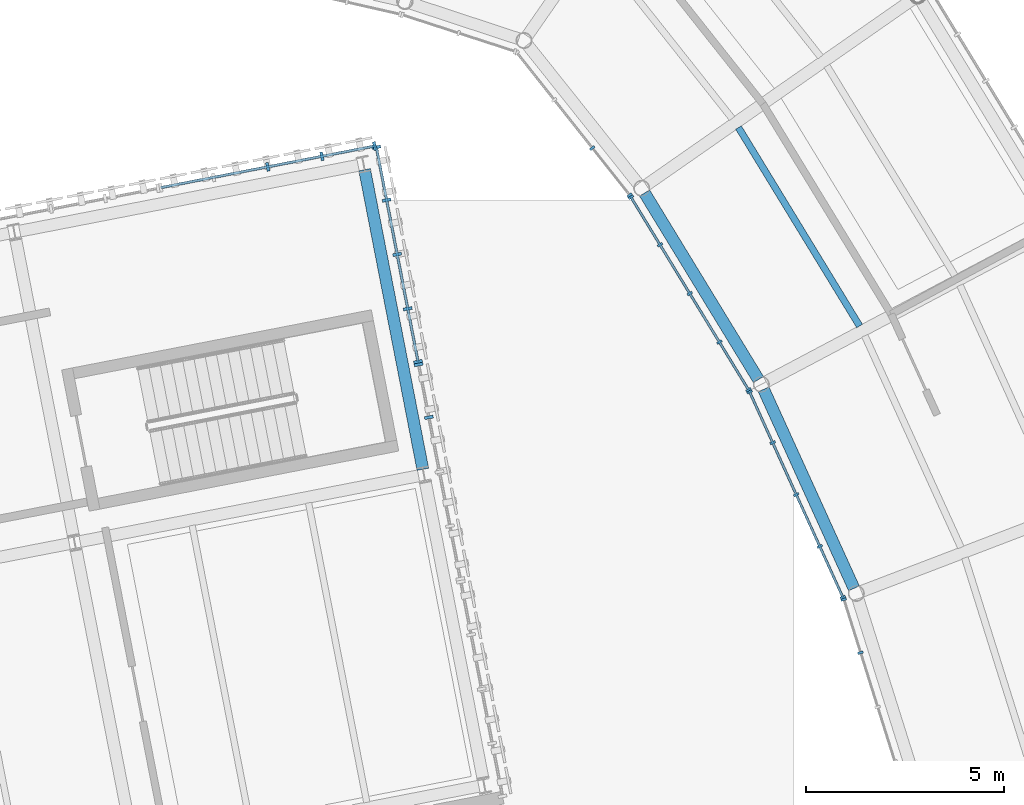
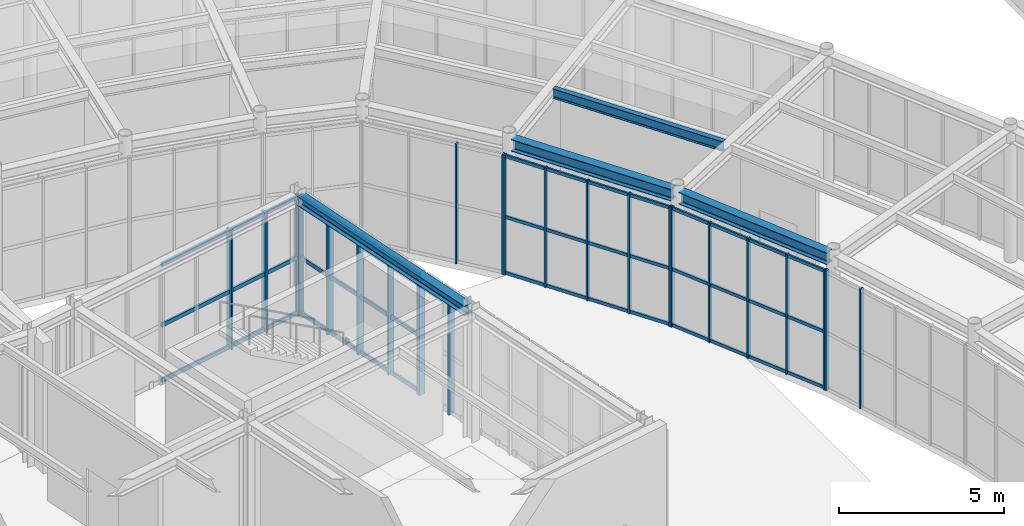
# One storey, part 46 of 97: 36 members, 4 beams, 7 elements without a shape of their own.
"""IFC4 building model written with IfcOpenShell, lengths in metres."""

from ifc_helpers import new_model, si_unit, direction, frame, origin, origin_2d, place, context, subcontext, project, spatial, rectangle, i_section, extrude, material, material_profile, profile_set, type_object, element, aggregate, save


model = new_model("IFC4")

# Units and contexts
model_context = context("Model", 3, precision=1e-05, world=origin(), true_north=direction((0.0, 1.0)))
body_context = subcontext(model_context, "Body", "Model", "MODEL_VIEW")
ifc_project = project(units=[si_unit("LENGTHUNIT", "METRE"), si_unit("AREAUNIT", "SQUARE_METRE"), si_unit("VOLUMEUNIT", "CUBIC_METRE"), si_unit("PLANEANGLEUNIT", "RADIAN"), si_unit("MASSUNIT", "GRAM", prefix="KILO")], contexts=[model_context])

# Site, building, storey
site_placement = place(None, origin())
site = spatial("IfcSite", under=ifc_project, at=site_placement, CompositionType="ELEMENT")
building_placement = place(site_placement, origin())
building = spatial("IfcBuilding", under=site, at=building_placement, Name="Varnklinge Art Gallery", CompositionType="ELEMENT")
storey_placement = place(building_placement, origin())
storey = spatial("IfcBuildingStorey", under=building, at=storey_placement, Name="L00", CompositionType="ELEMENT", Elevation=0.0)

# Beam
ifc_material_1 = material(Name="Steel S355", Category="steel")
ifc_material_profile_1 = material_profile(ifc_material_1, i_section(OverallWidth=0.169921875, OverallDepth=0.360107421875, WebThickness=0.008056640625, FlangeThickness=0.0126953125, FilletRadius=0.01806640625, at=origin_2d()), Name="IPE 360")
ifc_profile_set_1 = profile_set([ifc_material_profile_1], Name="Steel S355")
beam_type_1 = type_object("IfcBeamType", Name="JST-06", PredefinedType="JOIST", material=ifc_profile_set_1)
beam_1_placement = place(storey_placement, frame((99.67578125, 78.819580078125, 4.699951171875), z_axis=(-0.520951279717, 0.853586412826, 0.0), x_axis=(-0.853586412826, -0.520951279717, 0.0)))
element("IfcBeam", 1, at=beam_1_placement, inside=storey, type_object=beam_type_1, Name="L00 JST-06 JST-V2-L01-11-2", PredefinedType="JOIST", context=body_context, shape_type="SweptSolid", body=[
    extrude(i_section(OverallWidth=0.169921875, OverallDepth=0.360107421875, WebThickness=0.008056640625, FlangeThickness=0.0126953125, FilletRadius=0.01806640625, at=origin_2d()), origin(), (0.0, 0.0, 1.0), 5.8818359375),
])

# Curtain wall, members
ifc_material_2 = material(Name="Anodised Aluminium", Category="aluminium")
curtain_wall_type_1 = type_object("IfcCurtainWallType", Name="CW-L05", PredefinedType="USERDEFINED", material=ifc_material_2)
curtain_wall_1_placement = place(storey_placement, origin())
curtain_wall_1 = element("IfcCurtainWall", 2, at=curtain_wall_1_placement, inside=storey, type_object=curtain_wall_type_1, Name="L00 Curtain Wall CW-V4B-L00-2-1-2", ObjectType="UNITISED CURTAIN WALL", PredefinedType="USERDEFINED")
ifc_material_3 = material(Name="Anodised Aluminium", Category="aluminium")
ifc_material_profile_2 = material_profile(ifc_material_3, rectangle(XDim=0.074951171875, YDim=0.219970703125, at=origin_2d()), Name="ALU 75x220")
ifc_profile_set_2 = profile_set([ifc_material_profile_2], Name="Anodised Aluminium")
member_type_1 = type_object("IfcMemberType", Name="MUL-02", PredefinedType="MULLION", material=ifc_profile_set_2)
member_1_placement = place(storey_placement, frame((88.779296875, 76.50732421875, 0.0), z_axis=(0.0, 0.0, 1.0), x_axis=(-0.190808995377, 0.981627183448, 0.0)))
member_1 = element("IfcMember", 3, at=member_1_placement, type_object=member_type_1, Name="CW-V4B-L00-2-1-2 Mullion 4", PredefinedType="MULLION", context=body_context, shape_type="SweptSolid", body=[
    extrude(rectangle(XDim=0.074951171875, YDim=0.219970703125, at=origin_2d()), origin(), (0.0, 0.0, 1.0), 4.429931640625),
])
member_2_placement = place(storey_placement, frame((88.519287109375, 77.844970703125, 0.0), z_axis=(0.0, 0.0, 1.0), x_axis=(-0.190808995377, 0.981627183448, 0.0)))
member_2 = element("IfcMember", 4, at=member_2_placement, type_object=member_type_1, Name="CW-V4B-L00-2-1-2 Mullion 5", PredefinedType="MULLION", context=body_context, shape_type="SweptSolid", body=[
    extrude(rectangle(XDim=0.074951171875, YDim=0.219970703125, at=origin_2d()), origin(), (0.0, 0.0, 1.0), 4.429931640625),
])
aggregate(curtain_wall_1, [member_1, member_2])

curtain_wall_2_placement = place(storey_placement, origin())
curtain_wall_2 = element("IfcCurtainWall", 5, at=curtain_wall_2_placement, inside=storey, type_object=curtain_wall_type_1, Name="L00 Curtain Wall CW-V4B-L00-2-1-3", ObjectType="UNITISED CURTAIN WALL", PredefinedType="USERDEFINED")
member_3_placement = place(storey_placement, frame((88.5048828125, 77.91845703125, 0.0), z_axis=(0.0, 0.0, 1.0), x_axis=(-0.190808995377, 0.981627183448, 0.0)))
member_3 = element("IfcMember", 6, at=member_3_placement, type_object=member_type_1, Name="CW-V4B-L00-2-1-3 Mullion 1", PredefinedType="MULLION", context=body_context, shape_type="SweptSolid", body=[
    extrude(rectangle(XDim=0.074951171875, YDim=0.219970703125, at=origin_2d()), origin(), (0.0, 0.0, 1.0), 4.429931640625),
])
member_4_placement = place(storey_placement, frame((88.2451171875, 79.256103515625, 0.0), z_axis=(0.0, 0.0, 1.0), x_axis=(-0.190808995377, 0.981627183448, 0.0)))
member_4 = element("IfcMember", 7, at=member_4_placement, type_object=member_type_1, Name="CW-V4B-L00-2-1-3 Mullion 2", PredefinedType="MULLION", context=body_context, shape_type="SweptSolid", body=[
    extrude(rectangle(XDim=0.074951171875, YDim=0.219970703125, at=origin_2d()), origin(), (0.0, 0.0, 1.0), 4.429931640625),
])
member_5_placement = place(storey_placement, frame((87.97802734375, 80.630126953125, 0.0), z_axis=(0.0, 0.0, 1.0), x_axis=(-0.190808995377, 0.981627183448, 0.0)))
member_5 = element("IfcMember", 8, at=member_5_placement, type_object=member_type_1, Name="CW-V4B-L00-2-1-3 Mullion 3", PredefinedType="MULLION", context=body_context, shape_type="SweptSolid", body=[
    extrude(rectangle(XDim=0.074951171875, YDim=0.219970703125, at=origin_2d()), origin(), (0.0, 0.0, 1.0), 4.429931640625),
])
member_6_placement = place(storey_placement, frame((87.710693359375, 82.00439453125, 0.0), z_axis=(0.0, 0.0, 1.0), x_axis=(-0.190808995377, 0.981627183448, 0.0)))
member_6 = element("IfcMember", 9, at=member_6_placement, type_object=member_type_1, Name="CW-V4B-L00-2-1-3 Mullion 4", PredefinedType="MULLION", context=body_context, shape_type="SweptSolid", body=[
    extrude(rectangle(XDim=0.074951171875, YDim=0.219970703125, at=origin_2d()), origin(), (0.0, 0.0, 1.0), 4.429931640625),
])
member_7_placement = place(storey_placement, frame((87.450927734375, 83.342041015625, 0.0), z_axis=(0.0, 0.0, 1.0), x_axis=(-0.190808995377, 0.981627183448, 0.0)))
member_7 = element("IfcMember", 10, at=member_7_placement, type_object=member_type_1, Name="CW-V4B-L00-2-1-3 Mullion 5", PredefinedType="MULLION", context=body_context, shape_type="SweptSolid", body=[
    extrude(rectangle(XDim=0.074951171875, YDim=0.219970703125, at=origin_2d()), origin(), (0.0, 0.0, 1.0), 4.429931640625),
])

curtain_wall_3_placement = place(storey_placement, origin())
curtain_wall_3 = element("IfcCurtainWall", 11, at=curtain_wall_3_placement, inside=storey, type_object=curtain_wall_type_1, Name="L00 Curtain Wall CW-V4B-L00-3-1-1", ObjectType="UNITISED CURTAIN WALL", PredefinedType="USERDEFINED")
member_8_placement = place(storey_placement, frame((87.406982421875, 83.37158203125, 0.0), z_axis=(0.0, 0.0, 1.0), x_axis=(-0.981627183448, -0.190808995377, 0.0)))
member_8 = element("IfcMember", 12, at=member_8_placement, type_object=member_type_1, Name="CW-V4B-L00-3-1-1 Mullion 1", PredefinedType="MULLION", context=body_context, shape_type="SweptSolid", body=[
    extrude(rectangle(XDim=0.074951171875, YDim=0.219970703125, at=origin_2d()), origin(), (0.0, 0.0, 1.0), 4.429931640625),
])
member_9_placement = place(storey_placement, frame((86.0732421875, 83.1123046875, 0.0), z_axis=(0.0, 0.0, 1.0), x_axis=(-0.981627183448, -0.190808995377, 0.0)))
member_9 = element("IfcMember", 13, at=member_9_placement, type_object=member_type_1, Name="CW-V4B-L00-3-1-1 Mullion 2", PredefinedType="MULLION", context=body_context, shape_type="SweptSolid", body=[
    extrude(rectangle(XDim=0.074951171875, YDim=0.219970703125, at=origin_2d()), origin(), (0.0, 0.0, 1.0), 4.429931640625),
])
member_10_placement = place(storey_placement, frame((84.702880859375, 82.845947265625, 0.0), z_axis=(0.0, 0.0, 1.0), x_axis=(-0.981627183448, -0.190808995377, 0.0)))
member_10 = element("IfcMember", 14, at=member_10_placement, type_object=member_type_1, Name="CW-V4B-L00-3-1-1 Mullion 3", PredefinedType="MULLION", context=body_context, shape_type="SweptSolid", body=[
    extrude(rectangle(XDim=0.074951171875, YDim=0.219970703125, at=origin_2d()), origin(), (0.0, 0.0, 1.0), 4.429931640625),
])

ifc_material_4 = material(Name="Anodised Aluminium", Category="aluminium")
curtain_wall_type_2 = type_object("IfcCurtainWallType", Name="CW-R03", PredefinedType="USERDEFINED", material=ifc_material_4)
curtain_wall_4_placement = place(storey_placement, origin())
curtain_wall_4 = element("IfcCurtainWall", 15, at=curtain_wall_4_placement, inside=storey, type_object=curtain_wall_type_2, Name="L00 Curtain Wall CW-V2I-L00-09", ObjectType="UNITISED CURTAIN WALL", PredefinedType="USERDEFINED")
ifc_material_5 = material(Name="Anodised Aluminium", Category="aluminium")
ifc_material_profile_3 = material_profile(ifc_material_5, rectangle(XDim=0.06005859375, YDim=0.139892578125, at=origin_2d()), Name="ALU 60x140")
ifc_profile_set_3 = profile_set([ifc_material_profile_3], Name="Anodised Aluminium")
member_type_2 = type_object("IfcMemberType", Name="MUL-03", PredefinedType="MULLION", material=ifc_profile_set_3)
member_11_placement = place(storey_placement, frame((99.2734375, 71.90087890625, 0.0), z_axis=(0.0, 0.0, 1.0), x_axis=(0.299706904751, -0.954031326134, 0.0)))
member_11 = element("IfcMember", 16, at=member_11_placement, type_object=member_type_2, Name="CW-V2I-L00-09 Mullion 1", PredefinedType="MULLION", context=body_context, shape_type="SweptSolid", body=[
    extrude(rectangle(XDim=0.06005859375, YDim=0.139892578125, at=origin_2d()), origin(), (0.0, 0.0, 1.0), 4.429931640625),
])
member_12_placement = place(storey_placement, frame((99.696533203125, 70.55419921875, 0.0), z_axis=(0.0, 0.0, 1.0), x_axis=(0.299706904751, -0.954031326134, 0.0)))
member_12 = element("IfcMember", 17, at=member_12_placement, type_object=member_type_2, Name="CW-V2I-L00-09 Mullion 2", PredefinedType="MULLION", context=body_context, shape_type="SweptSolid", body=[
    extrude(rectangle(XDim=0.06005859375, YDim=0.139892578125, at=origin_2d()), origin(), (0.0, 0.0, 1.0), 4.429931640625),
])
aggregate(curtain_wall_4, [member_11, member_12])

curtain_wall_5_placement = place(storey_placement, origin())
curtain_wall_5 = element("IfcCurtainWall", 18, at=curtain_wall_5_placement, inside=storey, type_object=curtain_wall_type_2, Name="L00 Curtain Wall CW-V2I-L00-10", ObjectType="UNITISED CURTAIN WALL", PredefinedType="USERDEFINED")
member_13_placement = place(storey_placement, frame((96.892578125, 77.153564453125, 0.0), z_axis=(0.0, 0.0, 1.0), x_axis=(0.413422293217, -0.910539404678, 0.0)))
member_13 = element("IfcMember", 19, at=member_13_placement, type_object=member_type_2, Name="CW-V2I-L00-10 Mullion 1", PredefinedType="MULLION", context=body_context, shape_type="SweptSolid", body=[
    extrude(rectangle(XDim=0.06005859375, YDim=0.139892578125, at=origin_2d()), origin(), (0.0, 0.0, 1.0), 4.429931640625),
])
member_14_placement = place(storey_placement, frame((97.476318359375, 75.867919921875, 0.0), z_axis=(0.0, 0.0, 1.0), x_axis=(0.413422293217, -0.910539404678, 0.0)))
member_14 = element("IfcMember", 20, at=member_14_placement, type_object=member_type_2, Name="CW-V2I-L00-10 Mullion 2", PredefinedType="MULLION", context=body_context, shape_type="SweptSolid", body=[
    extrude(rectangle(XDim=0.06005859375, YDim=0.139892578125, at=origin_2d()), origin(), (0.0, 0.0, 1.0), 4.429931640625),
])
member_15_placement = place(storey_placement, frame((98.072509765625, 74.55517578125, 0.0), z_axis=(0.0, 0.0, 1.0), x_axis=(0.413422293217, -0.910539404678, 0.0)))
member_15 = element("IfcMember", 21, at=member_15_placement, type_object=member_type_2, Name="CW-V2I-L00-10 Mullion 3", PredefinedType="MULLION", context=body_context, shape_type="SweptSolid", body=[
    extrude(rectangle(XDim=0.06005859375, YDim=0.139892578125, at=origin_2d()), origin(), (0.0, 0.0, 1.0), 4.429931640625),
])
member_16_placement = place(storey_placement, frame((98.66845703125, 73.242431640625, 0.0), z_axis=(0.0, 0.0, 1.0), x_axis=(0.413422293217, -0.910539404678, 0.0)))
member_16 = element("IfcMember", 22, at=member_16_placement, type_object=member_type_2, Name="CW-V2I-L00-10 Mullion 4", PredefinedType="MULLION", context=body_context, shape_type="SweptSolid", body=[
    extrude(rectangle(XDim=0.06005859375, YDim=0.139892578125, at=origin_2d()), origin(), (0.0, 0.0, 1.0), 4.429931640625),
])
member_17_placement = place(storey_placement, frame((99.251953125, 71.956787109375, 0.0), z_axis=(0.0, 0.0, 1.0), x_axis=(0.413422293217, -0.910539404678, 0.0)))
member_17 = element("IfcMember", 23, at=member_17_placement, type_object=member_type_2, Name="CW-V2I-L00-10 Mullion 5", PredefinedType="MULLION", context=body_context, shape_type="SweptSolid", body=[
    extrude(rectangle(XDim=0.06005859375, YDim=0.139892578125, at=origin_2d()), origin(), (0.0, 0.0, 1.0), 4.429931640625),
])

curtain_wall_6_placement = place(storey_placement, origin())
curtain_wall_6 = element("IfcCurtainWall", 24, at=curtain_wall_6_placement, inside=storey, type_object=curtain_wall_type_2, Name="L00 Curtain Wall CW-V2I-L00-11", ObjectType="UNITISED CURTAIN WALL", PredefinedType="USERDEFINED")
member_18_placement = place(storey_placement, frame((93.8916015625, 82.077880859375, 0.0), z_axis=(0.0, 0.0, 1.0), x_axis=(0.520860651188, -0.85364171761, 0.0)))
member_18 = element("IfcMember", 25, at=member_18_placement, type_object=member_type_2, Name="CW-V2I-L00-11 Mullion 1", PredefinedType="MULLION", context=body_context, shape_type="SweptSolid", body=[
    extrude(rectangle(XDim=0.06005859375, YDim=0.139892578125, at=origin_2d()), origin(), (0.0, 0.0, 1.0), 4.429931640625),
])
member_19_placement = place(storey_placement, frame((94.627197265625, 80.872802734375, 0.0), z_axis=(0.0, 0.0, 1.0), x_axis=(0.520860651188, -0.85364171761, 0.0)))
member_19 = element("IfcMember", 26, at=member_19_placement, type_object=member_type_2, Name="CW-V2I-L00-11 Mullion 2", PredefinedType="MULLION", context=body_context, shape_type="SweptSolid", body=[
    extrude(rectangle(XDim=0.06005859375, YDim=0.139892578125, at=origin_2d()), origin(), (0.0, 0.0, 1.0), 4.429931640625),
])
member_20_placement = place(storey_placement, frame((95.378173828125, 79.64208984375, 0.0), z_axis=(0.0, 0.0, 1.0), x_axis=(0.520860651188, -0.85364171761, 0.0)))
member_20 = element("IfcMember", 27, at=member_20_placement, type_object=member_type_2, Name="CW-V2I-L00-11 Mullion 3", PredefinedType="MULLION", context=body_context, shape_type="SweptSolid", body=[
    extrude(rectangle(XDim=0.06005859375, YDim=0.139892578125, at=origin_2d()), origin(), (0.0, 0.0, 1.0), 4.429931640625),
])
member_21_placement = place(storey_placement, frame((96.129150390625, 78.41162109375, 0.0), z_axis=(0.0, 0.0, 1.0), x_axis=(0.520860651188, -0.85364171761, 0.0)))
member_21 = element("IfcMember", 28, at=member_21_placement, type_object=member_type_2, Name="CW-V2I-L00-11 Mullion 4", PredefinedType="MULLION", context=body_context, shape_type="SweptSolid", body=[
    extrude(rectangle(XDim=0.06005859375, YDim=0.139892578125, at=origin_2d()), origin(), (0.0, 0.0, 1.0), 4.429931640625),
])
member_22_placement = place(storey_placement, frame((96.86474609375, 77.206298828125, 0.0), z_axis=(0.0, 0.0, 1.0), x_axis=(0.520860651188, -0.85364171761, 0.0)))
member_22 = element("IfcMember", 29, at=member_22_placement, type_object=member_type_2, Name="CW-V2I-L00-11 Mullion 5", PredefinedType="MULLION", context=body_context, shape_type="SweptSolid", body=[
    extrude(rectangle(XDim=0.06005859375, YDim=0.139892578125, at=origin_2d()), origin(), (0.0, 0.0, 1.0), 4.429931640625),
])

curtain_wall_7_placement = place(storey_placement, origin())
curtain_wall_7 = element("IfcCurtainWall", 30, at=curtain_wall_7_placement, inside=storey, type_object=curtain_wall_type_2, Name="L00 Curtain Wall CW-V2I-L00-12", ObjectType="UNITISED CURTAIN WALL", PredefinedType="USERDEFINED")
member_23_placement = place(storey_placement, frame((92.91259765625, 83.3203125, 0.0), z_axis=(0.0, 0.0, 1.0), x_axis=(0.620737354217, -0.784018582101, 0.0)))
member_23 = element("IfcMember", 31, at=member_23_placement, type_object=member_type_2, Name="CW-V2I-L00-12 Mullion 3", PredefinedType="MULLION", context=body_context, shape_type="SweptSolid", body=[
    extrude(rectangle(XDim=0.06005859375, YDim=0.139892578125, at=origin_2d()), origin(), (0.0, 0.0, 1.0), 4.429931640625),
])
member_24_placement = place(storey_placement, frame((93.857421875, 82.127197265625, 0.0), z_axis=(0.0, 0.0, 1.0), x_axis=(0.620737354217, -0.784018582101, 0.0)))
member_24 = element("IfcMember", 32, at=member_24_placement, type_object=member_type_2, Name="CW-V2I-L00-12 Mullion 4", PredefinedType="MULLION", context=body_context, shape_type="SweptSolid", body=[
    extrude(rectangle(XDim=0.06005859375, YDim=0.139892578125, at=origin_2d()), origin(), (0.0, 0.0, 1.0), 4.429931640625),
])
aggregate(curtain_wall_7, [member_23, member_24])

# Beams
ifc_material_6 = material(Name="Steel S355", Category="steel")
ifc_material_profile_4 = material_profile(ifc_material_6, i_section(OverallWidth=0.300048828125, OverallDepth=0.43994140625, WebThickness=0.011474609375, FlangeThickness=0.02099609375, FilletRadius=0.027099609375, at=origin_2d()), Name="HEA 450")
ifc_profile_set_4 = profile_set([ifc_material_profile_4], Name="Steel S355")
beam_type_2 = type_object("IfcBeamType", Name="SPB-02", PredefinedType="SPANDREL", material=ifc_profile_set_4)
beam_2_placement = place(storey_placement, frame((99.533447265625, 72.18212890625, 4.659912109375), z_axis=(-0.413397065821, 0.910550858531, 0.0), x_axis=(-0.910550858531, -0.413397065821, 0.0)))
element("IfcBeam", 33, at=beam_2_placement, inside=storey, type_object=beam_type_2, Name="L00 SPB-02 BM-V2-L01-I10", PredefinedType="SPANDREL", context=body_context, shape_type="SweptSolid", body=[
    extrude(i_section(OverallWidth=0.300048828125, OverallDepth=0.43994140625, WebThickness=0.011474609375, FlangeThickness=0.02099609375, FilletRadius=0.027099609375, at=origin_2d()), origin(), (0.0, 0.0, 1.0), 5.529541015625),
])
beam_3_placement = place(storey_placement, frame((97.11669921875, 77.464111328125, 4.659912109375), z_axis=(-0.520928443414, 0.853600349603, 0.0), x_axis=(-0.853600349603, -0.520928443414, 0.0)))
element("IfcBeam", 34, at=beam_3_placement, inside=storey, type_object=beam_type_2, Name="L00 SPB-02 BM-V2-L01-I11", PredefinedType="SPANDREL", context=body_context, shape_type="SweptSolid", body=[
    extrude(i_section(OverallWidth=0.300048828125, OverallDepth=0.43994140625, WebThickness=0.011474609375, FlangeThickness=0.02099609375, FilletRadius=0.027099609375, at=origin_2d()), origin(), (0.0, 0.0, 1.0), 5.52978515625),
])
ifc_material_7 = material(Name="Steel S355", Category="steel")
ifc_material_profile_5 = material_profile(ifc_material_7, i_section(OverallWidth=0.300048828125, OverallDepth=0.35009765625, WebThickness=0.010009765625, FlangeThickness=0.017578125, FilletRadius=0.027099609375, at=origin_2d()), Name="HEA 360")
ifc_profile_set_5 = profile_set([ifc_material_profile_5], Name="Steel S355")
beam_type_3 = type_object("IfcBeamType", Name="SPB-04", PredefinedType="SPANDREL", material=ifc_profile_set_5)
beam_4_placement = place(storey_placement, frame((88.627197265625, 75.194091796875, 4.705078125), z_axis=(-0.190816333803, 0.981625756974, 0.0), x_axis=(-0.981625756974, -0.190816333803, 0.0)))
element("IfcBeam", 35, at=beam_4_placement, inside=storey, type_object=beam_type_3, Name="L00 SPB-04 BM-V4B-L01-V3-1", PredefinedType="SPANDREL", context=body_context, shape_type="SweptSolid", body=[
    extrude(i_section(OverallWidth=0.300048828125, OverallDepth=0.35009765625, WebThickness=0.010009765625, FlangeThickness=0.017578125, FilletRadius=0.027099609375, at=origin_2d()), origin(), (0.0, 0.0, 1.0), 7.72021484375),
])

# Member
ifc_material_8 = material(Name="Anodised Aluminium", Category="aluminium")
ifc_material_profile_6 = material_profile(ifc_material_8, rectangle(XDim=0.06494140625, YDim=0.14990234375, at=origin_2d()), Name="ALU 65x150")
ifc_profile_set_6 = profile_set([ifc_material_profile_6], Name="Anodised Aluminium")
member_type_3 = type_object("IfcMemberType", Name="TRN-01", PredefinedType="USERDEFINED", material=ifc_profile_set_6)
member_25_placement = place(storey_placement, frame((88.5048828125, 77.91845703125, 0.074951171875), z_axis=(-0.190759664241, 0.981636771163, 0.0), x_axis=(-0.981636771163, -0.190759664241, 0.0)))
member_25 = element("IfcMember", 36, at=member_25_placement, type_object=member_type_3, Name="CW-V4B-L00-2-1-3 Transom 1", ObjectType="TRANSOM", PredefinedType="USERDEFINED", context=body_context, shape_type="SweptSolid", body=[
    extrude(rectangle(XDim=0.06494140625, YDim=0.14990234375, at=origin_2d()), origin(), (0.0, 0.0, 1.0), 5.525146484375),
])

member_26_placement = place(storey_placement, frame((88.5048828125, 77.91845703125, 2.12646484375), z_axis=(-0.190759664241, 0.981636771163, 0.0), x_axis=(-0.981636771163, -0.190759664241, 0.0)))
member_26 = element("IfcMember", 37, at=member_26_placement, type_object=member_type_3, Name="CW-V4B-L00-2-1-3 Transom 2", ObjectType="TRANSOM", PredefinedType="USERDEFINED", context=body_context, shape_type="SweptSolid", body=[
    extrude(rectangle(XDim=0.06494140625, YDim=0.14990234375, at=origin_2d()), origin(), (0.0, 0.0, 1.0), 5.525146484375),
])

member_27_placement = place(storey_placement, frame((88.5048828125, 77.91845703125, 4.35498046875), z_axis=(-0.190759664241, 0.981636771163, 0.0), x_axis=(-0.981636771163, -0.190759664241, 0.0)))
member_27 = element("IfcMember", 38, at=member_27_placement, type_object=member_type_3, Name="CW-V4B-L00-2-1-3 Transom 3", ObjectType="TRANSOM", PredefinedType="USERDEFINED", context=body_context, shape_type="SweptSolid", body=[
    extrude(rectangle(XDim=0.06494140625, YDim=0.14990234375, at=origin_2d()), origin(), (0.0, 0.0, 1.0), 5.525146484375),
])

aggregate(curtain_wall_2, [member_3, member_4, member_5, member_6, member_7, member_25, member_26, member_27])

member_28_placement = place(storey_placement, frame((87.406982421875, 83.37158203125, 0.074951171875), z_axis=(-0.981628071403, -0.190804427186, 0.0), x_axis=(0.190804427186, -0.981628071403, 0.0)))
member_28 = element("IfcMember", 39, at=member_28_placement, type_object=member_type_3, Name="CW-V4B-L00-3-1-1 Transom 1", ObjectType="TRANSOM", PredefinedType="USERDEFINED", context=body_context, shape_type="SweptSolid", body=[
    extrude(rectangle(XDim=0.06494140625, YDim=0.14990234375, at=origin_2d()), origin(), (0.0, 0.0, 1.0), 5.509765625),
])

member_29_placement = place(storey_placement, frame((87.406982421875, 83.37158203125, 2.12646484375), z_axis=(-0.981628071403, -0.190804427186, 0.0), x_axis=(0.190804427186, -0.981628071403, 0.0)))
member_29 = element("IfcMember", 40, at=member_29_placement, type_object=member_type_3, Name="CW-V4B-L00-3-1-1 Transom 2", ObjectType="TRANSOM", PredefinedType="USERDEFINED", context=body_context, shape_type="SweptSolid", body=[
    extrude(rectangle(XDim=0.06494140625, YDim=0.14990234375, at=origin_2d()), origin(), (0.0, 0.0, 1.0), 5.509765625),
])

member_30_placement = place(storey_placement, frame((87.406982421875, 83.37158203125, 4.35498046875), z_axis=(-0.981628071403, -0.190804427186, 0.0), x_axis=(0.190804427186, -0.981628071403, 0.0)))
member_30 = element("IfcMember", 41, at=member_30_placement, type_object=member_type_3, Name="CW-V4B-L00-3-1-1 Transom 3", ObjectType="TRANSOM", PredefinedType="USERDEFINED", context=body_context, shape_type="SweptSolid", body=[
    extrude(rectangle(XDim=0.06494140625, YDim=0.14990234375, at=origin_2d()), origin(), (0.0, 0.0, 1.0), 5.509765625),
])

aggregate(curtain_wall_3, [member_8, member_9, member_10, member_28, member_29, member_30])

ifc_material_9 = material(Name="Anodised Aluminium", Category="aluminium")
ifc_material_profile_7 = material_profile(ifc_material_9, rectangle(XDim=0.06005859375, YDim=0.1201171875, at=origin_2d()), Name="ALU 60x120")
ifc_profile_set_7 = profile_set([ifc_material_profile_7], Name="Anodised Aluminium")
member_type_4 = type_object("IfcMemberType", Name="TRN-02", PredefinedType="USERDEFINED", material=ifc_profile_set_7)
member_31_placement = place(storey_placement, frame((96.892578125, 77.153564453125, 0.06005859375), z_axis=(0.413396814736, -0.910550972525, 0.0), x_axis=(0.910550972525, 0.413396814736, 0.0)))
member_31 = element("IfcMember", 42, at=member_31_placement, type_object=member_type_4, Name="CW-V2I-L00-10 Transom 1", ObjectType="TRANSOM", PredefinedType="USERDEFINED", context=body_context, shape_type="SweptSolid", body=[
    extrude(rectangle(XDim=0.06005859375, YDim=0.1201171875, at=origin_2d()), origin(), (0.0, 0.0, 1.0), 5.707275390625),
])

member_32_placement = place(storey_placement, frame((96.892578125, 77.153564453125, 2.12646484375), z_axis=(0.413396814736, -0.910550972525, 0.0), x_axis=(0.910550972525, 0.413396814736, 0.0)))
member_32 = element("IfcMember", 43, at=member_32_placement, type_object=member_type_4, Name="CW-V2I-L00-10 Transom 2", ObjectType="TRANSOM", PredefinedType="USERDEFINED", context=body_context, shape_type="SweptSolid", body=[
    extrude(rectangle(XDim=0.06005859375, YDim=0.1201171875, at=origin_2d()), origin(), (0.0, 0.0, 1.0), 5.707275390625),
])

member_33_placement = place(storey_placement, frame((96.892578125, 77.153564453125, 4.3701171875), z_axis=(0.413396814736, -0.910550972525, 0.0), x_axis=(0.910550972525, 0.413396814736, 0.0)))
member_33 = element("IfcMember", 44, at=member_33_placement, type_object=member_type_4, Name="CW-V2I-L00-10 Transom 3", ObjectType="TRANSOM", PredefinedType="USERDEFINED", context=body_context, shape_type="SweptSolid", body=[
    extrude(rectangle(XDim=0.06005859375, YDim=0.1201171875, at=origin_2d()), origin(), (0.0, 0.0, 1.0), 5.707275390625),
])

aggregate(curtain_wall_5, [member_13, member_14, member_15, member_16, member_17, member_31, member_32, member_33])

member_34_placement = place(storey_placement, frame((93.8916015625, 82.077880859375, 0.06005859375), z_axis=(0.520948121202, -0.853588340488, 0.0), x_axis=(0.853588340488, 0.520948121202, 0.0)))
member_34 = element("IfcMember", 45, at=member_34_placement, type_object=member_type_4, Name="CW-V2I-L00-11 Transom 1", ObjectType="TRANSOM", PredefinedType="USERDEFINED", context=body_context, shape_type="SweptSolid", body=[
    extrude(rectangle(XDim=0.06005859375, YDim=0.1201171875, at=origin_2d()), origin(), (0.0, 0.0, 1.0), 5.707275390625),
])

member_35_placement = place(storey_placement, frame((93.8916015625, 82.077880859375, 2.12646484375), z_axis=(0.520948121202, -0.853588340488, 0.0), x_axis=(0.853588340488, 0.520948121202, 0.0)))
member_35 = element("IfcMember", 46, at=member_35_placement, type_object=member_type_4, Name="CW-V2I-L00-11 Transom 2", ObjectType="TRANSOM", PredefinedType="USERDEFINED", context=body_context, shape_type="SweptSolid", body=[
    extrude(rectangle(XDim=0.06005859375, YDim=0.1201171875, at=origin_2d()), origin(), (0.0, 0.0, 1.0), 5.707275390625),
])

member_36_placement = place(storey_placement, frame((93.8916015625, 82.077880859375, 4.3701171875), z_axis=(0.520948121202, -0.853588340488, 0.0), x_axis=(0.853588340488, 0.520948121202, 0.0)))
member_36 = element("IfcMember", 47, at=member_36_placement, type_object=member_type_4, Name="CW-V2I-L00-11 Transom 3", ObjectType="TRANSOM", PredefinedType="USERDEFINED", context=body_context, shape_type="SweptSolid", body=[
    extrude(rectangle(XDim=0.06005859375, YDim=0.1201171875, at=origin_2d()), origin(), (0.0, 0.0, 1.0), 5.707275390625),
])

aggregate(curtain_wall_6, [member_18, member_19, member_20, member_21, member_22, member_34, member_35, member_36])

save(model, "model.ifc")
